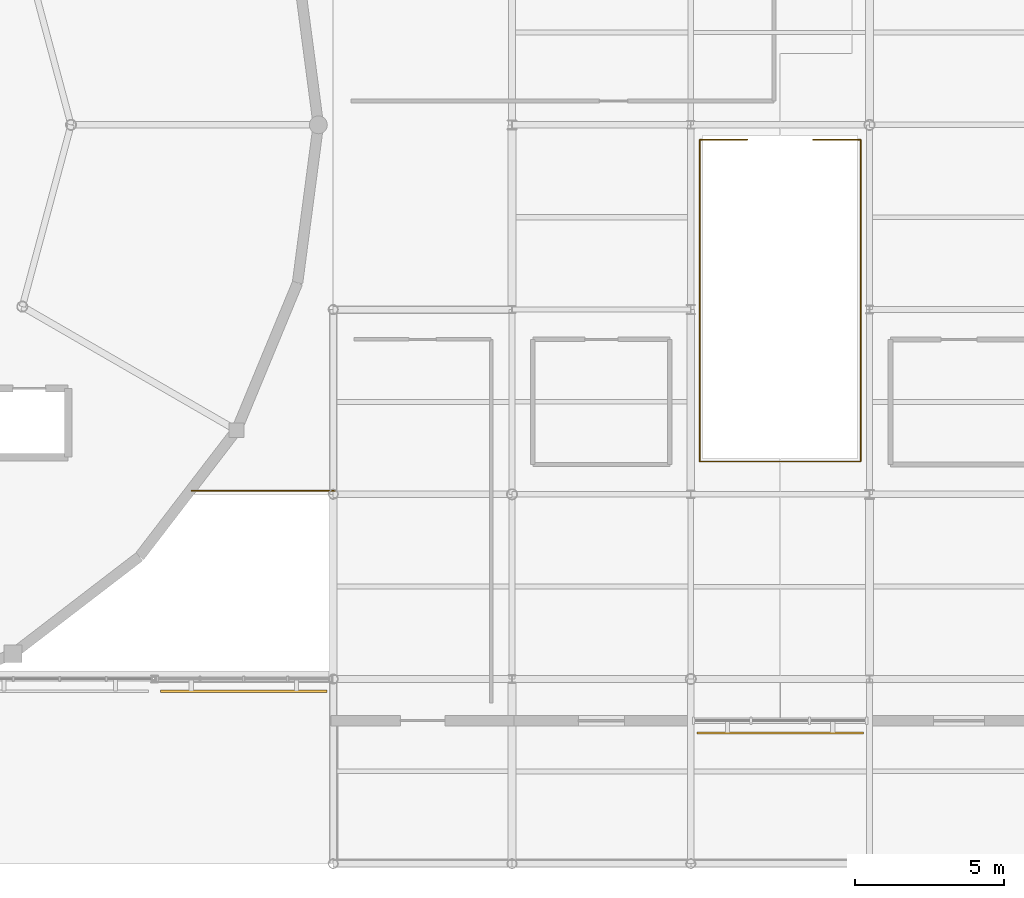
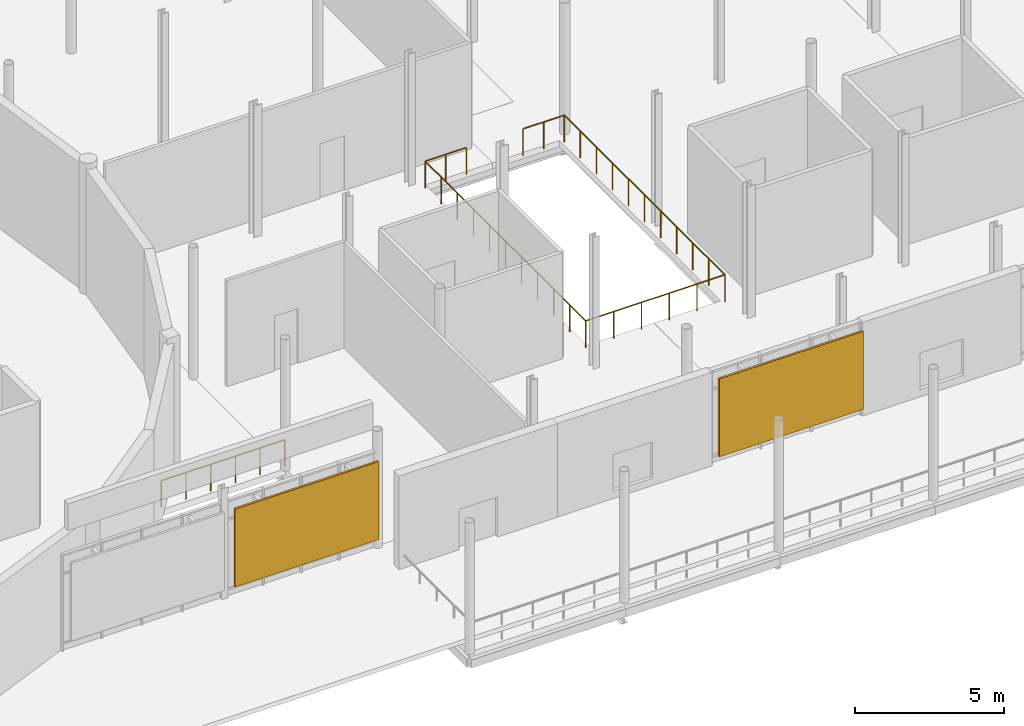
# One storey, part 94 of 105: 2 railings, 2 shading devices.
"""IFC4 building model written with IfcOpenShell, lengths in metres."""

from ifc_helpers import new_model, si_unit, direction, frame, origin, origin_2d, place, context, subcontext, project, spatial, rectangle, circle, extrude, material, layer, layer_set, type_object, element, save


model = new_model("IFC4")

# Units and contexts
model_context = context("Model", 3, precision=1e-05, world=origin(), true_north=direction((0.0, 1.0)))
body_context = subcontext(model_context, "Body", "Model", "MODEL_VIEW")
ifc_project = project(units=[si_unit("LENGTHUNIT", "METRE"), si_unit("AREAUNIT", "SQUARE_METRE"), si_unit("VOLUMEUNIT", "CUBIC_METRE"), si_unit("PLANEANGLEUNIT", "RADIAN"), si_unit("MASSUNIT", "GRAM", prefix="KILO")], contexts=[model_context])

# Site, building, storey
site_placement = place(None, origin())
site = spatial("IfcSite", under=ifc_project, at=site_placement, CompositionType="ELEMENT")
building_placement = place(site_placement, origin())
building = spatial("IfcBuilding", under=site, at=building_placement, Name="Mirzam Square Science Centre", CompositionType="ELEMENT")
storey_placement = place(building_placement, frame((0.0, 0.0, 5.39990234375)))
storey = spatial("IfcBuildingStorey", under=building, at=storey_placement, Name="L01", CompositionType="ELEMENT", Elevation=5.39990234375)

# Railings
ifc_material_1 = material(Name="Bronze-Anodised Architectural Balustrade", Category="aluminium")
railing_type_1 = type_object("IfcRailingType", Name="RL-INT-GUARD-1100", PredefinedType="GUARDRAIL", material=ifc_material_1)
railing_1_placement = place(storey_placement, frame((118.10009765625, 61.5, 0.0)))
element("IfcRailing", 1, at=railing_1_placement, inside=storey, type_object=railing_type_1, Name="L01 stem-void edge guard", PredefinedType="GUARDRAIL", context=body_context, shape_type="SweptSolid", body=[
    extrude(circle(Radius=0.02392578125, at=origin_2d()), frame((0.0, 0.0, 1.09619140625), z_axis=(1.0, 0.0, 0.0), x_axis=(0.0, 1.0, 0.0)), (0.0, 0.0, 1.0), 1.599853515625),
    extrude(circle(Radius=0.02392578125, at=origin_2d()), frame((1.599853515625, 0.0, 1.09619140625), z_axis=(0.0, -1.0, 0.0), x_axis=(1.0, 0.0, 0.0)), (0.0, 0.0, 1.0), 10.800048828125),
    extrude(circle(Radius=0.02392578125, at=origin_2d()), frame((1.599853515625, -10.800048828125, 1.09619140625), z_axis=(-1.0, 0.0, 0.0), x_axis=(0.0, -1.0, 0.0)), (0.0, 0.0, 1.0), 5.39990234375),
    extrude(circle(Radius=0.02392578125, at=origin_2d()), frame((-3.800048828125, -10.800048828125, 1.09619140625), z_axis=(0.0, 1.0, 0.0), x_axis=(-1.0, 0.0, 0.0)), (0.0, 0.0, 1.0), 10.800048828125),
    extrude(circle(Radius=0.02392578125, at=origin_2d()), frame((-3.800048828125, 0.0, 1.09619140625), z_axis=(1.0, 0.0, 0.0), x_axis=(0.0, 1.0, 0.0)), (0.0, 0.0, 1.0), 1.599853515625),
    extrude(circle(Radius=0.02099609375, at=origin_2d()), origin(), (0.0, 0.0, 1.0), 1.072021484375),
    extrude(circle(Radius=0.02099609375, at=origin_2d()), frame((0.7998046875, 0.0, 0.0)), (0.0, 0.0, 1.0), 1.072021484375),
    extrude(circle(Radius=0.02099609375, at=origin_2d()), frame((1.599853515625, 0.0, 0.0)), (0.0, 0.0, 1.0), 1.072021484375),
    extrude(circle(Radius=0.02099609375, at=origin_2d()), frame((1.599853515625, -1.080078125, 0.0)), (0.0, 0.0, 1.0), 1.072021484375),
    extrude(circle(Radius=0.02099609375, at=origin_2d()), frame((1.599853515625, -2.159912109375, 0.0)), (0.0, 0.0, 1.0), 1.072021484375),
    extrude(circle(Radius=0.02099609375, at=origin_2d()), frame((1.599853515625, -3.239990234375, 0.0)), (0.0, 0.0, 1.0), 1.072021484375),
    extrude(circle(Radius=0.02099609375, at=origin_2d()), frame((1.599853515625, -4.320068359375, 0.0)), (0.0, 0.0, 1.0), 1.072021484375),
    extrude(circle(Radius=0.02099609375, at=origin_2d()), frame((1.599853515625, -5.39990234375, 0.0)), (0.0, 0.0, 1.0), 1.072021484375),
    extrude(circle(Radius=0.02099609375, at=origin_2d()), frame((1.599853515625, -6.47998046875, 0.0)), (0.0, 0.0, 1.0), 1.072021484375),
    extrude(circle(Radius=0.02099609375, at=origin_2d()), frame((1.599853515625, -7.56005859375, 0.0)), (0.0, 0.0, 1.0), 1.072021484375),
    extrude(circle(Radius=0.02099609375, at=origin_2d()), frame((1.599853515625, -8.64013671875, 0.0)), (0.0, 0.0, 1.0), 1.072021484375),
    extrude(circle(Radius=0.02099609375, at=origin_2d()), frame((1.599853515625, -9.719970703125, 0.0)), (0.0, 0.0, 1.0), 1.072021484375),
    extrude(circle(Radius=0.02099609375, at=origin_2d()), frame((1.599853515625, -10.800048828125, 0.0)), (0.0, 0.0, 1.0), 1.072021484375),
    extrude(circle(Radius=0.02099609375, at=origin_2d()), frame((0.519775390625, -10.800048828125, 0.0)), (0.0, 0.0, 1.0), 1.072021484375),
    extrude(circle(Radius=0.02099609375, at=origin_2d()), frame((-0.56005859375, -10.800048828125, 0.0)), (0.0, 0.0, 1.0), 1.072021484375),
    extrude(circle(Radius=0.02099609375, at=origin_2d()), frame((-1.64013671875, -10.800048828125, 0.0)), (0.0, 0.0, 1.0), 1.072021484375),
    extrude(circle(Radius=0.02099609375, at=origin_2d()), frame((-2.719970703125, -10.800048828125, 0.0)), (0.0, 0.0, 1.0), 1.072021484375),
    extrude(circle(Radius=0.02099609375, at=origin_2d()), frame((-3.800048828125, -10.800048828125, 0.0)), (0.0, 0.0, 1.0), 1.072021484375),
    extrude(circle(Radius=0.02099609375, at=origin_2d()), frame((-3.800048828125, -9.719970703125, 0.0)), (0.0, 0.0, 1.0), 1.072021484375),
    extrude(circle(Radius=0.02099609375, at=origin_2d()), frame((-3.800048828125, -8.64013671875, 0.0)), (0.0, 0.0, 1.0), 1.072021484375),
    extrude(circle(Radius=0.02099609375, at=origin_2d()), frame((-3.800048828125, -7.56005859375, 0.0)), (0.0, 0.0, 1.0), 1.072021484375),
    extrude(circle(Radius=0.02099609375, at=origin_2d()), frame((-3.800048828125, -6.47998046875, 0.0)), (0.0, 0.0, 1.0), 1.072021484375),
    extrude(circle(Radius=0.02099609375, at=origin_2d()), frame((-3.800048828125, -5.39990234375, 0.0)), (0.0, 0.0, 1.0), 1.072021484375),
    extrude(circle(Radius=0.02099609375, at=origin_2d()), frame((-3.800048828125, -4.320068359375, 0.0)), (0.0, 0.0, 1.0), 1.072021484375),
    extrude(circle(Radius=0.02099609375, at=origin_2d()), frame((-3.800048828125, -3.239990234375, 0.0)), (0.0, 0.0, 1.0), 1.072021484375),
    extrude(circle(Radius=0.02099609375, at=origin_2d()), frame((-3.800048828125, -2.159912109375, 0.0)), (0.0, 0.0, 1.0), 1.072021484375),
    extrude(circle(Radius=0.02099609375, at=origin_2d()), frame((-3.800048828125, -1.080078125, 0.0)), (0.0, 0.0, 1.0), 1.072021484375),
    extrude(circle(Radius=0.02099609375, at=origin_2d()), frame((-3.800048828125, 0.0, 0.0)), (0.0, 0.0, 1.0), 1.072021484375),
    extrude(circle(Radius=0.02099609375, at=origin_2d()), frame((-3.0, 0.0, 0.0)), (0.0, 0.0, 1.0), 1.072021484375),
    extrude(circle(Radius=0.02099609375, at=origin_2d()), frame((-2.2001953125, 0.0, 0.0)), (0.0, 0.0, 1.0), 1.072021484375),
])
railing_type_2 = type_object("IfcRailingType", Name="RL-TERR-GUARD-1100", PredefinedType="GUARDRAIL", material=ifc_material_1)
railing_2_placement = place(storey_placement, frame((97.25, 49.719970703125, 0.0)))
element("IfcRailing", 2, at=railing_2_placement, inside=storey, type_object=railing_type_2, Name="L01 east drum link south edge guard", PredefinedType="GUARDRAIL", context=body_context, shape_type="SweptSolid", body=[
    extrude(circle(Radius=0.02392578125, at=origin_2d()), frame((0.0, 0.0, 1.09619140625), z_axis=(1.0, 0.0, 0.0), x_axis=(0.0, 1.0, 0.0)), (0.0, 0.0, 1.0), 4.800048828125),
    extrude(circle(Radius=0.02099609375, at=origin_2d()), origin(), (0.0, 0.0, 1.0), 1.072021484375),
    extrude(circle(Radius=0.02099609375, at=origin_2d()), frame((0.9599609375, 0.0, 0.0)), (0.0, 0.0, 1.0), 1.072021484375),
    extrude(circle(Radius=0.02099609375, at=origin_2d()), frame((1.919921875, 0.0, 0.0)), (0.0, 0.0, 1.0), 1.072021484375),
    extrude(circle(Radius=0.02099609375, at=origin_2d()), frame((2.880126953125, 0.0, 0.0)), (0.0, 0.0, 1.0), 1.072021484375),
    extrude(circle(Radius=0.02099609375, at=origin_2d()), frame((3.840087890625, 0.0, 0.0)), (0.0, 0.0, 1.0), 1.072021484375),
    extrude(circle(Radius=0.02099609375, at=origin_2d()), frame((4.800048828125, 0.0, 0.0)), (0.0, 0.0, 1.0), 1.072021484375),
])

# Shading devices
ifc_material_2 = material(Name="Perforated Bronze-Anodised Aluminium Brise-Soleil", Category="aluminium")
ifc_layer = layer(ifc_material_2, 0.080078125)
ifc_layer_set = layer_set([ifc_layer], Name="SHD-BRISE-BRONZE")
shading_device_type = type_object("IfcShadingDeviceType", Name="SHD-BRISE-BRONZE", PredefinedType="JALOUSIE", material=ifc_layer_set)
for number, where, z_axis, x_axis, name in (
    (3, (99.0, 42.989990234375, 1.2001953125), (0.0, 0.0, 1.0), (1.0, 0.0, 0.0), "L01 bronze brise-soleil screen 49"),
    (4, (117.0, 41.590087890625, 1.09033203125), (0.0, 0.0, 1.0), (1.0, 0.0, 0.0), "L01 bronze brise-soleil screen 71"),
):
    element("IfcShadingDevice", number, at=place(storey_placement, frame(where, z_axis=z_axis, x_axis=x_axis)), inside=storey, type_object=shading_device_type, Name=name, PredefinedType="JALOUSIE", context=body_context, shape_type="SweptSolid", body=[
        extrude(rectangle(XDim=5.590087890625, YDim=0.080078125, at=origin_2d()), origin(), (0.0, 0.0, 1.0), 3.199951171875),
    ])

save(model, "model.ifc")
